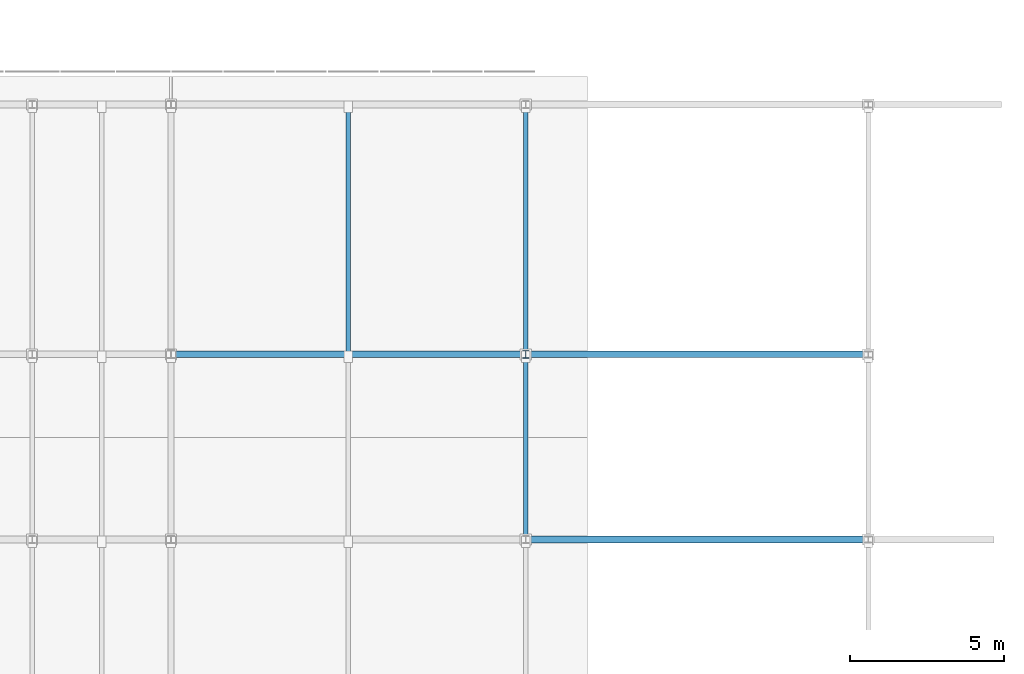
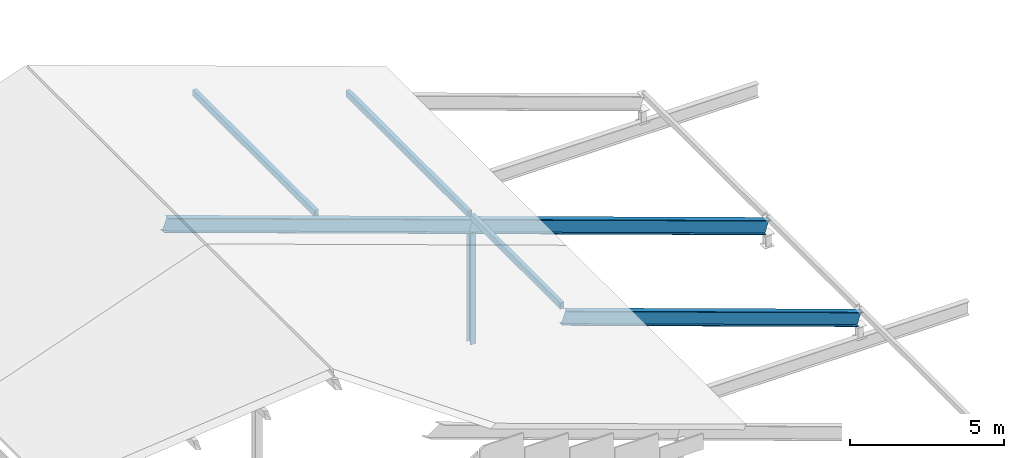
# One storey, part 24 of 42: 4 members, 3 beams.
"""IFC4 building model written with IfcOpenShell, lengths in metres."""

from ifc_helpers import new_model, si_unit, direction, frame, origin, origin_2d, place, context, subcontext, project, spatial, hollow_rectangle, i_section, extrude, material, material_profile, profile_set, type_object, element, save


model = new_model("IFC4")

# Units and contexts
model_context = context("Model", 3, precision=1e-05, world=origin(), true_north=direction((0.0, 1.0)))
body_context = subcontext(model_context, "Body", "Model", "MODEL_VIEW")
ifc_project = project(units=[si_unit("LENGTHUNIT", "METRE"), si_unit("AREAUNIT", "SQUARE_METRE"), si_unit("VOLUMEUNIT", "CUBIC_METRE"), si_unit("PLANEANGLEUNIT", "RADIAN"), si_unit("MASSUNIT", "GRAM", prefix="KILO")], contexts=[model_context])

# Site, building, storey
site_placement = place(None, origin())
site = spatial("IfcSite", under=ifc_project, at=site_placement, CompositionType="ELEMENT")
building_placement = place(site_placement, origin())
building = spatial("IfcBuilding", under=site, at=building_placement, Name="Kelmvaro Bay Concert Hall", CompositionType="ELEMENT")
storey_placement = place(building_placement, frame((0.0, 0.0, 26.699951171875)))
storey = spatial("IfcBuildingStorey", under=building, at=storey_placement, Name="RF", CompositionType="ELEMENT", Elevation=26.699951171875)

# Members
ifc_material_1 = material(Name="Steel ASTM A992 Grade 50", Category="steel")
ifc_material_profile_1 = material_profile(ifc_material_1, i_section(OverallWidth=0.201904296875, OverallDepth=0.2470703125, WebThickness=0.00732421875, FlangeThickness=0.010986328125, at=origin_2d()), Name="W10X33")
ifc_profile_set_1 = profile_set([ifc_material_profile_1], Name="Steel ASTM A992 Grade 50")
member_type_1 = type_object("IfcMemberType", Name="Crystal Crown Queen Post W10x33", PredefinedType="STRUT", material=ifc_profile_set_1)
member_1_placement = place(storey_placement, frame((152.5, 30.0, -4.514892578125), z_axis=(0.0, 0.0, 1.0), x_axis=(1.0, 0.0, 0.0)))
element("IfcMember", 1, at=member_1_placement, inside=storey, type_object=member_type_1, Name="V4 Crystal Roof Post 059", PredefinedType="STRUT", context=body_context, shape_type="SweptSolid", body=[
    extrude(i_section(OverallWidth=0.201904296875, OverallDepth=0.2470703125, WebThickness=0.00732421875, FlangeThickness=0.010986328125, at=origin_2d()), origin(), (0.0, 0.0, 1.0), 4.402099609375),
])
ifc_material_2 = material(Name="Steel ASTM A500 Grade C", Category="steel")
ifc_material_profile_2 = material_profile(ifc_material_2, hollow_rectangle(XDim=0.14990234375, YDim=0.25, WallThickness=0.010009765625, at=origin_2d()), Name="HSS250X150X10")
ifc_profile_set_2 = profile_set([ifc_material_profile_2], Name="Steel ASTM A500 Grade C")
member_type_2 = type_object("IfcMemberType", Name="Crystal Roof Mid Purlin HSS250x150x10", PredefinedType="PURLIN", material=ifc_profile_set_2)
member_2_placement = place(storey_placement, frame((146.75, 30.0849609375, 2.5732421875), z_axis=(0.0, 1.0, 0.0), x_axis=(-1.0, 0.0, 0.0)))
element("IfcMember", 2, at=member_2_placement, inside=storey, type_object=member_type_2, Name="V4 Crystal Roof Purlin 074", PredefinedType="PURLIN", context=body_context, shape_type="SweptSolid", body=[
    extrude(hollow_rectangle(XDim=0.14990234375, YDim=0.25, WallThickness=0.010009765625, at=origin_2d()), origin(), (0.0, 0.0, 1.0), 7.929931640625),
])
member_3_placement = place(storey_placement, frame((152.5, 24.0849609375, 0.537109375), z_axis=(0.0, 1.0, 0.0), x_axis=(-1.0, 0.0, 0.0)))
element("IfcMember", 3, at=member_3_placement, inside=storey, type_object=member_type_2, Name="V4 Crystal Roof Purlin 076", PredefinedType="PURLIN", context=body_context, shape_type="SweptSolid", body=[
    extrude(hollow_rectangle(XDim=0.14990234375, YDim=0.25, WallThickness=0.010009765625, at=origin_2d()), origin(), (0.0, 0.0, 1.0), 5.830078125),
])
member_4_placement = place(storey_placement, frame((152.5, 30.0849609375, 0.537109375), z_axis=(0.0, 1.0, 0.0), x_axis=(-1.0, 0.0, 0.0)))
element("IfcMember", 4, at=member_4_placement, inside=storey, type_object=member_type_2, Name="V4 Crystal Roof Purlin 077", PredefinedType="PURLIN", context=body_context, shape_type="SweptSolid", body=[
    extrude(hollow_rectangle(XDim=0.14990234375, YDim=0.25, WallThickness=0.010009765625, at=origin_2d()), origin(), (0.0, 0.0, 1.0), 7.929931640625),
])

# Beams
ifc_material_3 = material(Name="Steel ASTM A992 Grade 50", Category="steel")
ifc_material_profile_3 = material_profile(ifc_material_3, i_section(OverallWidth=0.2119140625, OverallDepth=0.5439453125, WebThickness=0.01318359375, FlangeThickness=0.021240234375, at=origin_2d()), Name="W21X83")
ifc_profile_set_3 = profile_set([ifc_material_profile_3], Name="Steel ASTM A992 Grade 50")
beam_type = type_object("IfcBeamType", Name="Crystal Roof Sloped Rafter W21x83", PredefinedType="BEAM", material=ifc_profile_set_3)
beam_1_placement = place(storey_placement, frame((152.5, 24.0, 0.14404296875), z_axis=(0.942643807151, 0.0, -0.333800318813), x_axis=(0.0, 1.0, 0.0)))
element("IfcBeam", 5, at=beam_1_placement, inside=storey, type_object=beam_type, Name="V4 Crystal Roof Rafter 058", PredefinedType="BEAM", context=body_context, shape_type="SweptSolid", body=[
    extrude(i_section(OverallWidth=0.2119140625, OverallDepth=0.5439453125, WebThickness=0.01318359375, FlangeThickness=0.021240234375, at=origin_2d()), origin(), (0.0, 0.0, 1.0), 11.775390625),
])
beam_2_placement = place(storey_placement, frame((141.0, 30.0, 4.216552734375), z_axis=(0.942637720686, 0.0, -0.333817506342), x_axis=(0.0, 1.0, 0.0)))
element("IfcBeam", 6, at=beam_2_placement, inside=storey, type_object=beam_type, Name="V4 Crystal Roof Rafter 061", PredefinedType="BEAM", context=body_context, shape_type="SweptSolid", body=[
    extrude(i_section(OverallWidth=0.2119140625, OverallDepth=0.5439453125, WebThickness=0.01318359375, FlangeThickness=0.021240234375, at=origin_2d()), origin(), (0.0, 0.0, 1.0), 12.19970703125),
])
beam_3_placement = place(storey_placement, frame((152.5, 30.0, 0.14404296875), z_axis=(0.942643807151, 0.0, -0.333800318813), x_axis=(0.0, 1.0, 0.0)))
element("IfcBeam", 7, at=beam_3_placement, inside=storey, type_object=beam_type, Name="V4 Crystal Roof Rafter 062", PredefinedType="BEAM", context=body_context, shape_type="SweptSolid", body=[
    extrude(i_section(OverallWidth=0.2119140625, OverallDepth=0.5439453125, WebThickness=0.01318359375, FlangeThickness=0.021240234375, at=origin_2d()), origin(), (0.0, 0.0, 1.0), 11.775390625),
])

save(model, "model.ifc")
